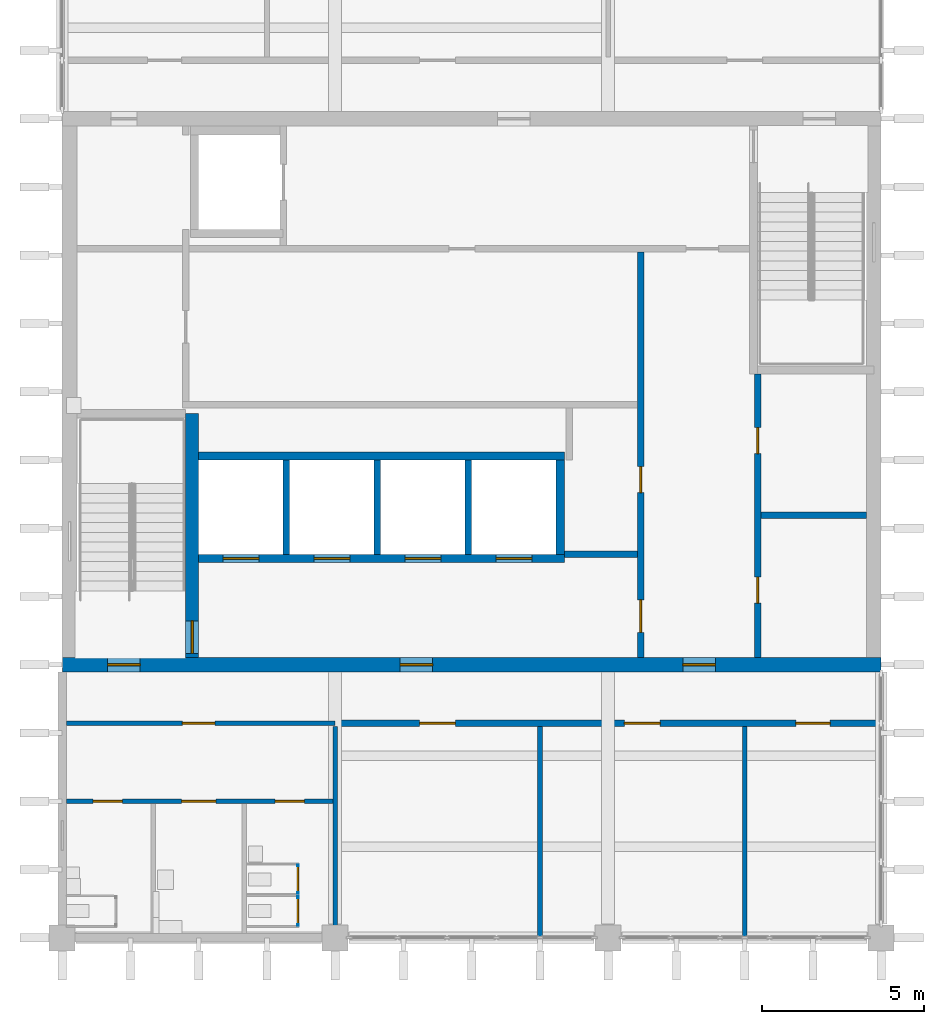
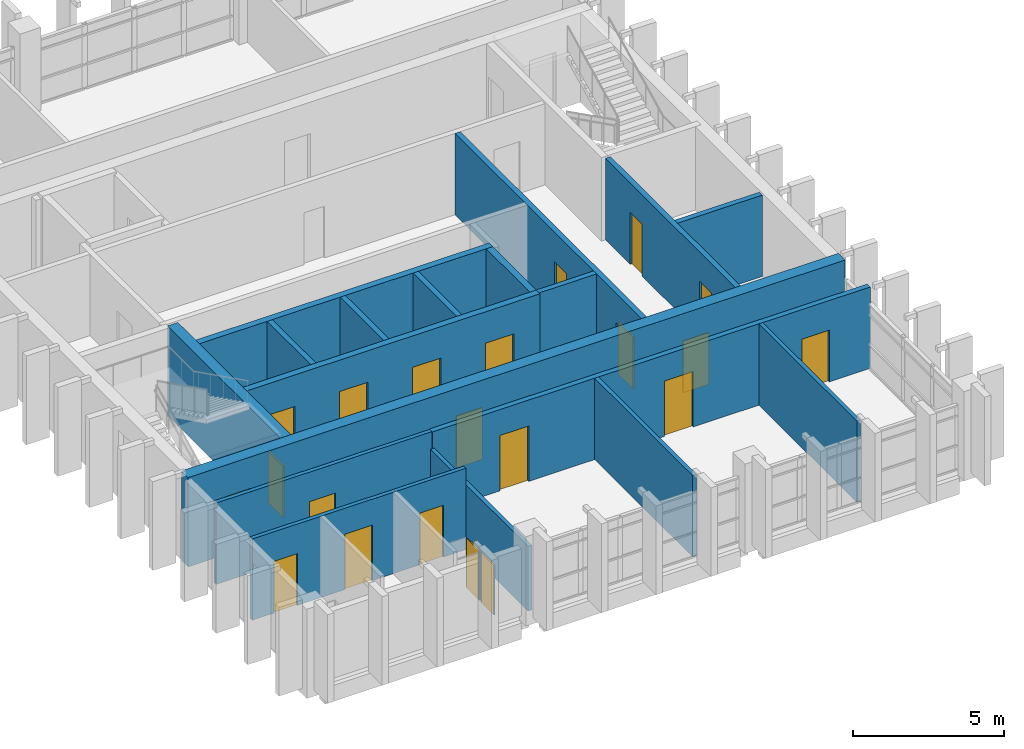
# One storey, part 7 of 11: 21 doors, 20 walls, 21 openings.
"""IFC4 building model written with IfcOpenShell, lengths in metres."""

from ifc_helpers import new_model, si_unit, direction, frame, frame_2d, origin, place, context, subcontext, project, spatial, rectangle, extrude, material, layer, layer_set, type_object, element, fill, save


model = new_model("IFC4")

# Units and contexts
model_context = context("Model", 3, precision=1e-05, world=origin(), true_north=direction((0.0, 1.0)))
body_context = subcontext(model_context, "Body", "Model", "MODEL_VIEW")
ifc_project = project(units=[si_unit("LENGTHUNIT", "METRE"), si_unit("AREAUNIT", "SQUARE_METRE"), si_unit("VOLUMEUNIT", "CUBIC_METRE"), si_unit("PLANEANGLEUNIT", "RADIAN"), si_unit("MASSUNIT", "GRAM", prefix="KILO")], contexts=[model_context])

# Site, building, storey
site_placement = place(None, origin())
site = spatial("IfcSite", under=ifc_project, at=site_placement, CompositionType="ELEMENT")
building_placement = place(site_placement, origin())
building = spatial("IfcBuilding", under=site, at=building_placement, Name="Rulbaag Community and Learning Centre", CompositionType="ELEMENT")
storey_placement = place(building_placement, frame((0.0, 0.0, 36.0)))
storey = spatial("IfcBuildingStorey", under=building, at=storey_placement, Name="L09", CompositionType="ELEMENT", Elevation=36.0)

# Wall, opening, door
ifc_material_1 = material(Name="High pressure laminate", Category="wood")
ifc_layer_1 = layer(ifc_material_1, 0.0400390625)
ifc_layer_set_1 = layer_set([ifc_layer_1], Name="CP-40")
wall_type_1 = type_object("IfcWallType", Name="CP-40", PredefinedType="PARTITIONING", material=ifc_layer_set_1)
wall_1_placement = place(storey_placement, frame((150.050048828125, 84.3701171875, 0.0), z_axis=(0.0, 0.0, 1.0), x_axis=(0.0, 1.0, 0.0)))
wall_1 = element("IfcWall", 1, at=wall_1_placement, inside=storey, type_object=wall_type_1, Name="Cubicle partition", PredefinedType="PARTITIONING", context=body_context, shape_type="SweptSolid", body=[
    extrude(rectangle(XDim=0.89990234375, YDim=0.0400390625, at=frame_2d((0.449951171875, 0.0))), origin(), (0.0, 0.0, 1.0), 2.0),
])
opening_1_placement = place(wall_1_placement, frame((0.050048828125, 0.0, 0.0)))
opening_1 = element("IfcOpeningElement", 2, at=opening_1_placement, cuts=wall_1, Name="Opening L09-D013", PredefinedType="OPENING", context=body_context, shape_type="SweptSolid", body=[
    extrude(rectangle(XDim=0.800048828125, YDim=2.0, at=frame_2d((0.39990234375, 1.0))), frame((0.0, 0.030029296875, 0.0), z_axis=(0.0, -1.0, 0.0), x_axis=(1.0, 0.0, 0.0)), (0.0, 0.0, 1.0), 0.06005859375),
])
door_type_1 = type_object("IfcDoorType", Name="DC-80", OperationType="SINGLE_SWING_LEFT", PredefinedType="DOOR", material=ifc_material_1)
door_1_placement = place(opening_1_placement, origin())
door_1 = element("IfcDoor", 3, at=door_1_placement, inside=storey, type_object=door_type_1, Name="Cubicle door", OperationType="SINGLE_SWING_LEFT", OverallHeight=2.0, OverallWidth=0.800048828125, PredefinedType="DOOR", context=body_context, shape_type="SweptSolid", body=[
    extrude(rectangle(XDim=0.800048828125, YDim=2.0, at=frame_2d((0.39990234375, 1.0))), frame((0.0, 0.019775390625, 0.0), z_axis=(0.0, -1.0, 0.0), x_axis=(1.0, 0.0, 0.0)), (0.0, 0.0, 1.0), 0.03955078125),
])
fill(opening_1, door_1)

wall_2_placement = place(storey_placement, frame((150.050048828125, 85.35009765625, 0.0), z_axis=(0.0, 0.0, 1.0), x_axis=(0.0, 1.0, 0.0)))
wall_2 = element("IfcWall", 4, at=wall_2_placement, inside=storey, type_object=wall_type_1, Name="Cubicle partition", PredefinedType="PARTITIONING", context=body_context, shape_type="SweptSolid", body=[
    extrude(rectangle(XDim=0.89990234375, YDim=0.0400390625, at=frame_2d((0.449951171875, 0.0))), origin(), (0.0, 0.0, 1.0), 2.0),
])
opening_2_placement = place(wall_2_placement, frame((0.050048828125, 0.0, 0.0)))
opening_2 = element("IfcOpeningElement", 5, at=opening_2_placement, cuts=wall_2, Name="Opening L09-D014", PredefinedType="OPENING", context=body_context, shape_type="SweptSolid", body=[
    extrude(rectangle(XDim=0.800048828125, YDim=2.0, at=frame_2d((0.39990234375, 1.0))), frame((0.0, 0.030029296875, 0.0), z_axis=(0.0, -1.0, 0.0), x_axis=(1.0, 0.0, 0.0)), (0.0, 0.0, 1.0), 0.06005859375),
])
door_2_placement = place(opening_2_placement, origin())
door_2 = element("IfcDoor", 6, at=door_2_placement, inside=storey, type_object=door_type_1, Name="Cubicle door", OperationType="SINGLE_SWING_LEFT", OverallHeight=2.0, OverallWidth=0.800048828125, PredefinedType="DOOR", context=body_context, shape_type="SweptSolid", body=[
    extrude(rectangle(XDim=0.800048828125, YDim=2.0, at=frame_2d((0.39990234375, 1.0))), frame((0.0, 0.019775390625, 0.0), z_axis=(0.0, -1.0, 0.0), x_axis=(1.0, 0.0, 0.0)), (0.0, 0.0, 1.0), 0.03955078125),
])
fill(opening_2, door_2)

# Wall, openings, doors
ifc_material_2 = material(Name="Concrete blockwork", Category="masonry")
ifc_layer_2 = layer(ifc_material_2, 0.199951171875)
ifc_layer_set_2 = layer_set([ifc_layer_2], Name="FW-200 FIRE WALL 200")
wall_type_2 = type_object("IfcWallType", Name="FW-200 FIRE WALL 200", PredefinedType="SOLIDWALL", material=ifc_layer_set_2)
wall_3_placement = place(storey_placement, frame((151.199951171875, 90.60009765625, 0.0), z_axis=(0.0, 0.0, 1.0), x_axis=(1.0, 0.0, 0.0)))
wall_3 = element("IfcWall", 7, at=wall_3_placement, inside=storey, type_object=wall_type_2, Name="Fire wall L09 3", PredefinedType="SOLIDWALL", context=body_context, shape_type="SweptSolid", body=[
    extrude(rectangle(XDim=16.800048828125, YDim=0.199951171875, at=frame_2d((8.39990234375, 0.0))), origin(), (0.0, 0.0, 1.0), 3.300048828125),
])
opening_3_placement = place(wall_3_placement, frame((2.60009765625, 0.0, 0.0)))
opening_3 = element("IfcOpeningElement", 8, at=opening_3_placement, cuts=wall_3, Name="Opening L09-D018", PredefinedType="OPENING", context=body_context, shape_type="SweptSolid", body=[
    extrude(rectangle(XDim=1.10009765625, YDim=2.25, at=frame_2d((0.550048828125, 1.125))), frame((0.0, 0.10986328125, 0.0), z_axis=(0.0, -1.0, 0.0), x_axis=(1.0, 0.0, 0.0)), (0.0, 0.0, 1.0), 0.219970703125),
])
opening_4_placement = place(wall_3_placement, frame((8.89990234375, 0.0, 0.0)))
opening_4 = element("IfcOpeningElement", 9, at=opening_4_placement, cuts=wall_3, Name="Opening L09-D025", PredefinedType="OPENING", context=body_context, shape_type="SweptSolid", body=[
    extrude(rectangle(XDim=1.10009765625, YDim=2.25, at=frame_2d((0.550048828125, 1.125))), frame((0.0, 0.10986328125, 0.0), z_axis=(0.0, -1.0, 0.0), x_axis=(1.0, 0.0, 0.0)), (0.0, 0.0, 1.0), 0.219970703125),
])
opening_5_placement = place(wall_3_placement, frame((14.175048828125, 0.0, 0.0)))
opening_5 = element("IfcOpeningElement", 10, at=opening_5_placement, cuts=wall_3, Name="Opening L09-D032", PredefinedType="OPENING", context=body_context, shape_type="SweptSolid", body=[
    extrude(rectangle(XDim=1.050048828125, YDim=2.10009765625, at=frame_2d((0.52490234375, 1.050048828125))), frame((0.0, 0.10986328125, 0.0), z_axis=(0.0, -1.0, 0.0), x_axis=(1.0, 0.0, 0.0)), (0.0, 0.0, 1.0), 0.219970703125),
])
ifc_material_3 = material(Name="Timber", Category="wood")
door_type_2 = type_object("IfcDoorType", Name="D-1100 OFFICE SUITE ENTRANCE DOOR 1100 x 2250", OperationType="SINGLE_SWING_LEFT", PredefinedType="DOOR", material=ifc_material_3)
door_3_placement = place(opening_3_placement, origin())
door_3 = element("IfcDoor", 11, at=door_3_placement, inside=storey, type_object=door_type_2, Name="Door L09-D018", OperationType="SINGLE_SWING_LEFT", OverallHeight=2.25, OverallWidth=1.10009765625, PredefinedType="DOOR", context=body_context, shape_type="SweptSolid", body=[
    extrude(rectangle(XDim=1.10009765625, YDim=2.25, at=frame_2d((0.550048828125, 1.125))), frame((0.0, 0.02490234375, 0.0), z_axis=(0.0, -1.0, 0.0), x_axis=(1.0, 0.0, 0.0)), (0.0, 0.0, 1.0), 0.050048828125),
])
fill(opening_3, door_3)
door_4_placement = place(opening_4_placement, origin())
door_4 = element("IfcDoor", 12, at=door_4_placement, inside=storey, type_object=door_type_2, Name="Door L09-D025", OperationType="SINGLE_SWING_RIGHT", OverallHeight=2.25, OverallWidth=1.10009765625, PredefinedType="DOOR", context=body_context, shape_type="SweptSolid", body=[
    extrude(rectangle(XDim=1.10009765625, YDim=2.25, at=frame_2d((0.550048828125, 1.125))), frame((0.0, 0.02490234375, 0.0), z_axis=(0.0, -1.0, 0.0), x_axis=(1.0, 0.0, 0.0)), (0.0, 0.0, 1.0), 0.050048828125),
])
fill(opening_4, door_4)
door_type_3 = type_object("IfcDoorType", Name="FD-1050 GLAZED MEETING ROOM FIRE DOOR 1050 x 2100", OperationType="SINGLE_SWING_LEFT", PredefinedType="DOOR", material=ifc_material_3)
door_5_placement = place(opening_5_placement, origin())
door_5 = element("IfcDoor", 13, at=door_5_placement, inside=storey, type_object=door_type_3, Name="Door L09-D032", OperationType="SINGLE_SWING_RIGHT", OverallHeight=2.10009765625, OverallWidth=1.050048828125, PredefinedType="DOOR", context=body_context, shape_type="SweptSolid", body=[
    extrude(rectangle(XDim=1.050048828125, YDim=2.10009765625, at=frame_2d((0.52490234375, 1.050048828125))), frame((0.0, 0.02490234375, 0.0), z_axis=(0.0, -1.0, 0.0), x_axis=(1.0, 0.0, 0.0)), (0.0, 0.0, 1.0), 0.050048828125),
])
fill(opening_5, door_5)

# Walls
wall_4_placement = place(storey_placement, frame((158.25, 95.800048828125, 0.0), z_axis=(0.0, 0.0, 1.0), x_axis=(1.0, 0.0, 0.0)))
element("IfcWall", 14, at=wall_4_placement, inside=storey, type_object=wall_type_2, Name="Fire wall L09 5", PredefinedType="SOLIDWALL", context=body_context, shape_type="SweptSolid", body=[
    extrude(rectangle(XDim=2.25, YDim=0.199951171875, at=frame_2d((1.125, 0.0))), origin(), (0.0, 0.0, 1.0), 3.300048828125),
])
wall_5_placement = place(storey_placement, frame((164.300048828125, 97.0, 0.0), z_axis=(0.0, 0.0, 1.0), x_axis=(1.0, 0.0, 0.0)))
element("IfcWall", 15, at=wall_5_placement, inside=storey, type_object=wall_type_2, Name="Fire wall L09 6", PredefinedType="SOLIDWALL", context=body_context, shape_type="SweptSolid", body=[
    extrude(rectangle(XDim=3.25, YDim=0.199951171875, at=frame_2d((1.625, 0.0))), origin(), (0.0, 0.0, 1.0), 3.300048828125),
])

# Wall, openings, doors
wall_6_placement = place(storey_placement, frame((160.60009765625, 92.625, 0.0), z_axis=(0.0, 0.0, 1.0), x_axis=(0.0, 1.0, 0.0)))
wall_6 = element("IfcWall", 16, at=wall_6_placement, inside=storey, type_object=wall_type_2, Name="Fire wall L09 21", PredefinedType="SOLIDWALL", context=body_context, shape_type="SweptSolid", body=[
    extrude(rectangle(XDim=12.47509765625, YDim=0.199951171875, at=frame_2d((6.237548828125, 0.0))), origin(), (0.0, 0.0, 1.0), 3.300048828125),
])
opening_6_placement = place(wall_6_placement, frame((5.074951171875, 0.0, 0.0)))
opening_6 = element("IfcOpeningElement", 17, at=opening_6_placement, cuts=wall_6, Name="Opening L09-D024", PredefinedType="OPENING", context=body_context, shape_type="SweptSolid", body=[
    extrude(rectangle(XDim=0.800048828125, YDim=2.10009765625, at=frame_2d((0.39990234375, 1.050048828125))), frame((0.0, 0.10986328125, 0.0), z_axis=(0.0, -1.0, 0.0), x_axis=(1.0, 0.0, 0.0)), (0.0, 0.0, 1.0), 0.219970703125),
])
opening_7_placement = place(wall_6_placement, frame((0.77490234375, 0.0, 0.0)))
opening_7 = element("IfcOpeningElement", 18, at=opening_7_placement, cuts=wall_6, Name="Opening L09-D023", PredefinedType="OPENING", context=body_context, shape_type="SweptSolid", body=[
    extrude(rectangle(XDim=1.0, YDim=2.10009765625, at=frame_2d((0.5, 1.050048828125))), frame((0.0, 0.10986328125, 0.0), z_axis=(0.0, -1.0, 0.0), x_axis=(1.0, 0.0, 0.0)), (0.0, 0.0, 1.0), 0.219970703125),
])
ifc_material_4 = material(Name="Galvanised steel", Category="steel")
door_type_4 = type_object("IfcDoorType", Name="FD-1000 FIRE DOOR 1000 x 2100", OperationType="SINGLE_SWING_LEFT", PredefinedType="DOOR", material=ifc_material_4)
door_6_placement = place(opening_7_placement, origin())
door_6 = element("IfcDoor", 19, at=door_6_placement, inside=storey, type_object=door_type_4, Name="Door L09-D023", OperationType="SINGLE_SWING_LEFT", OverallHeight=2.10009765625, OverallWidth=1.0, PredefinedType="DOOR", context=body_context, shape_type="SweptSolid", body=[
    extrude(rectangle(XDim=1.0, YDim=2.10009765625, at=frame_2d((0.5, 1.050048828125))), frame((0.0, 0.02490234375, 0.0), z_axis=(0.0, -1.0, 0.0), x_axis=(1.0, 0.0, 0.0)), (0.0, 0.0, 1.0), 0.050048828125),
])
fill(opening_7, door_6)
door_type_5 = type_object("IfcDoorType", Name="FDR-800 RISER FIRE DOOR 800 x 2100", OperationType="SINGLE_SWING_LEFT", PredefinedType="DOOR", material=ifc_material_4)
door_7_placement = place(opening_6_placement, origin())
door_7 = element("IfcDoor", 20, at=door_7_placement, inside=storey, type_object=door_type_5, Name="Riser door L09-D021", OperationType="SINGLE_SWING_RIGHT", OverallHeight=2.10009765625, OverallWidth=0.800048828125, PredefinedType="DOOR", context=body_context, shape_type="SweptSolid", body=[
    extrude(rectangle(XDim=0.800048828125, YDim=2.10009765625, at=frame_2d((0.39990234375, 1.050048828125))), frame((0.0, 0.02490234375, 0.0), z_axis=(0.0, -1.0, 0.0), x_axis=(1.0, 0.0, 0.0)), (0.0, 0.0, 1.0), 0.050048828125),
])
fill(opening_6, door_7)

wall_7_placement = place(storey_placement, frame((164.199951171875, 92.625, 0.0), z_axis=(0.0, 0.0, 1.0), x_axis=(0.0, 1.0, 0.0)))
wall_7 = element("IfcWall", 21, at=wall_7_placement, inside=storey, type_object=wall_type_2, Name="Fire wall L09 23", PredefinedType="SOLIDWALL", context=body_context, shape_type="SweptSolid", body=[
    extrude(rectangle(XDim=8.72509765625, YDim=0.199951171875, at=frame_2d((4.362548828125, 0.0))), origin(), (0.0, 0.0, 1.0), 3.300048828125),
])
opening_8_placement = place(wall_7_placement, frame((1.675048828125, 0.0, 0.0)))
opening_8 = element("IfcOpeningElement", 22, at=opening_8_placement, cuts=wall_7, Name="Opening L09-D030", PredefinedType="OPENING", context=body_context, shape_type="SweptSolid", body=[
    extrude(rectangle(XDim=0.800048828125, YDim=2.10009765625, at=frame_2d((0.39990234375, 1.050048828125))), frame((0.0, 0.10986328125, 0.0), z_axis=(0.0, -1.0, 0.0), x_axis=(1.0, 0.0, 0.0)), (0.0, 0.0, 1.0), 0.219970703125),
])
opening_9_placement = place(wall_7_placement, frame((6.27490234375, 0.0, 0.0)))
opening_9 = element("IfcOpeningElement", 23, at=opening_9_placement, cuts=wall_7, Name="Opening L09-D031", PredefinedType="OPENING", context=body_context, shape_type="SweptSolid", body=[
    extrude(rectangle(XDim=0.800048828125, YDim=2.10009765625, at=frame_2d((0.39990234375, 1.050048828125))), frame((0.0, 0.10986328125, 0.0), z_axis=(0.0, -1.0, 0.0), x_axis=(1.0, 0.0, 0.0)), (0.0, 0.0, 1.0), 0.219970703125),
])
door_8_placement = place(opening_8_placement, origin())
door_8 = element("IfcDoor", 24, at=door_8_placement, inside=storey, type_object=door_type_5, Name="Riser door L09-D019", OperationType="SINGLE_SWING_LEFT", OverallHeight=2.10009765625, OverallWidth=0.800048828125, PredefinedType="DOOR", context=body_context, shape_type="SweptSolid", body=[
    extrude(rectangle(XDim=0.800048828125, YDim=2.10009765625, at=frame_2d((0.39990234375, 1.050048828125))), frame((0.0, 0.02490234375, 0.0), z_axis=(0.0, -1.0, 0.0), x_axis=(1.0, 0.0, 0.0)), (0.0, 0.0, 1.0), 0.050048828125),
])
fill(opening_8, door_8)
door_9_placement = place(opening_9_placement, origin())
door_9 = element("IfcDoor", 25, at=door_9_placement, inside=storey, type_object=door_type_5, Name="Riser door L09-D020", OperationType="SINGLE_SWING_RIGHT", OverallHeight=2.10009765625, OverallWidth=0.800048828125, PredefinedType="DOOR", context=body_context, shape_type="SweptSolid", body=[
    extrude(rectangle(XDim=0.800048828125, YDim=2.10009765625, at=frame_2d((0.39990234375, 1.050048828125))), frame((0.0, 0.02490234375, 0.0), z_axis=(0.0, -1.0, 0.0), x_axis=(1.0, 0.0, 0.0)), (0.0, 0.0, 1.0), 0.050048828125),
])
fill(opening_9, door_9)

ifc_layer_3 = layer(ifc_material_2, 0.14990234375)
ifc_layer_set_3 = layer_set([ifc_layer_3], Name="IP-150 PARTITION 150")
wall_type_3 = type_object("IfcWallType", Name="IP-150 PARTITION 150", PredefinedType="PARTITIONING", material=ifc_layer_set_3)
wall_8_placement = place(storey_placement, frame((142.925048828125, 88.199951171875, 0.0), z_axis=(0.0, 0.0, 1.0), x_axis=(1.0, 0.0, 0.0)))
wall_8 = element("IfcWall", 26, at=wall_8_placement, inside=storey, type_object=wall_type_3, Name="Partition L09 1", PredefinedType="PARTITIONING", context=body_context, shape_type="SweptSolid", body=[
    extrude(rectangle(XDim=8.199951171875, YDim=0.14990234375, at=frame_2d((4.10009765625, 0.0))), origin(), (0.0, 0.0, 1.0), 3.300048828125),
])
opening_10_placement = place(wall_8_placement, frame((0.824951171875, 0.0, 0.0)))
opening_10 = element("IfcOpeningElement", 27, at=opening_10_placement, cuts=wall_8, Name="Opening L09-D001", PredefinedType="OPENING", context=body_context, shape_type="SweptSolid", body=[
    extrude(rectangle(XDim=0.89990234375, YDim=2.10009765625, at=frame_2d((0.449951171875, 1.050048828125))), frame((0.0, 0.0849609375, 0.0), z_axis=(0.0, -1.0, 0.0), x_axis=(1.0, 0.0, 0.0)), (0.0, 0.0, 1.0), 0.169921875),
])
opening_11_placement = place(wall_8_placement, frame((3.550048828125, 0.0, 0.0)))
opening_11 = element("IfcOpeningElement", 28, at=opening_11_placement, cuts=wall_8, Name="Opening L09-D008", PredefinedType="OPENING", context=body_context, shape_type="SweptSolid", body=[
    extrude(rectangle(XDim=1.050048828125, YDim=2.25, at=frame_2d((0.52490234375, 1.125))), frame((0.0, 0.0849609375, 0.0), z_axis=(0.0, -1.0, 0.0), x_axis=(1.0, 0.0, 0.0)), (0.0, 0.0, 1.0), 0.169921875),
])
opening_12_placement = place(wall_8_placement, frame((6.425048828125, 0.0, 0.0)))
opening_12 = element("IfcOpeningElement", 29, at=opening_12_placement, cuts=wall_8, Name="Opening L09-D012", PredefinedType="OPENING", context=body_context, shape_type="SweptSolid", body=[
    extrude(rectangle(XDim=0.89990234375, YDim=2.10009765625, at=frame_2d((0.449951171875, 1.050048828125))), frame((0.0, 0.0849609375, 0.0), z_axis=(0.0, -1.0, 0.0), x_axis=(1.0, 0.0, 0.0)), (0.0, 0.0, 1.0), 0.169921875),
])
door_type_6 = type_object("IfcDoorType", Name="D-1050 ACCESSIBLE TOILET DOOR 1050 x 2250", OperationType="SINGLE_SWING_LEFT", PredefinedType="DOOR", material=ifc_material_3)
door_10_placement = place(opening_11_placement, origin())
door_10 = element("IfcDoor", 30, at=door_10_placement, inside=storey, type_object=door_type_6, Name="Door L09-D008", OperationType="SINGLE_SWING_LEFT", OverallHeight=2.25, OverallWidth=1.050048828125, PredefinedType="DOOR", context=body_context, shape_type="SweptSolid", body=[
    extrude(rectangle(XDim=1.050048828125, YDim=2.25, at=frame_2d((0.52490234375, 1.125))), frame((0.0, 0.02490234375, 0.0), z_axis=(0.0, -1.0, 0.0), x_axis=(1.0, 0.0, 0.0)), (0.0, 0.0, 1.0), 0.050048828125),
])
fill(opening_11, door_10)
door_type_7 = type_object("IfcDoorType", Name="DW-900 TOILET DOOR 900 x 2100", OperationType="SINGLE_SWING_LEFT", PredefinedType="DOOR", material=ifc_material_3)
door_11_placement = place(opening_10_placement, origin())
door_11 = element("IfcDoor", 31, at=door_11_placement, inside=storey, type_object=door_type_7, Name="Door L09-D001", OperationType="SINGLE_SWING_LEFT", OverallHeight=2.10009765625, OverallWidth=0.89990234375, PredefinedType="DOOR", context=body_context, shape_type="SweptSolid", body=[
    extrude(rectangle(XDim=0.89990234375, YDim=2.10009765625, at=frame_2d((0.449951171875, 1.050048828125))), frame((0.0, 0.02490234375, 0.0), z_axis=(0.0, -1.0, 0.0), x_axis=(1.0, 0.0, 0.0)), (0.0, 0.0, 1.0), 0.050048828125),
])
fill(opening_10, door_11)
door_12_placement = place(opening_12_placement, origin())
door_12 = element("IfcDoor", 32, at=door_12_placement, inside=storey, type_object=door_type_7, Name="Door L09-D012", OperationType="SINGLE_SWING_RIGHT", OverallHeight=2.10009765625, OverallWidth=0.89990234375, PredefinedType="DOOR", context=body_context, shape_type="SweptSolid", body=[
    extrude(rectangle(XDim=0.89990234375, YDim=2.10009765625, at=frame_2d((0.449951171875, 1.050048828125))), frame((0.0, 0.02490234375, 0.0), z_axis=(0.0, -1.0, 0.0), x_axis=(1.0, 0.0, 0.0)), (0.0, 0.0, 1.0), 0.050048828125),
])
fill(opening_12, door_12)

# Wall, opening, door
wall_9_placement = place(storey_placement, frame((142.925048828125, 90.60009765625, 0.0), z_axis=(0.0, 0.0, 1.0), x_axis=(1.0, 0.0, 0.0)))
wall_9 = element("IfcWall", 33, at=wall_9_placement, inside=storey, type_object=wall_type_3, Name="Partition L09 2", PredefinedType="PARTITIONING", context=body_context, shape_type="SweptSolid", body=[
    extrude(rectangle(XDim=8.27490234375, YDim=0.14990234375, at=frame_2d((4.137451171875, 0.0))), origin(), (0.0, 0.0, 1.0), 3.300048828125),
])
opening_13_placement = place(wall_9_placement, frame((3.574951171875, 0.0, 0.0)))
opening_13 = element("IfcOpeningElement", 34, at=opening_13_placement, cuts=wall_9, Name="Opening L09-D009", PredefinedType="OPENING", context=body_context, shape_type="SweptSolid", body=[
    extrude(rectangle(XDim=1.0, YDim=2.10009765625, at=frame_2d((0.5, 1.050048828125))), frame((0.0, 0.0849609375, 0.0), z_axis=(0.0, -1.0, 0.0), x_axis=(1.0, 0.0, 0.0)), (0.0, 0.0, 1.0), 0.169921875),
])
door_type_8 = type_object("IfcDoorType", Name="D-1000 DOOR 1000 x 2100", OperationType="SINGLE_SWING_LEFT", PredefinedType="DOOR", material=ifc_material_3)
door_13_placement = place(opening_13_placement, origin())
door_13 = element("IfcDoor", 35, at=door_13_placement, inside=storey, type_object=door_type_8, Name="Door L09-D009", OperationType="SINGLE_SWING_RIGHT", OverallHeight=2.10009765625, OverallWidth=1.0, PredefinedType="DOOR", context=body_context, shape_type="SweptSolid", body=[
    extrude(rectangle(XDim=1.0, YDim=2.10009765625, at=frame_2d((0.5, 1.050048828125))), frame((0.0, 0.02490234375, 0.0), z_axis=(0.0, -1.0, 0.0), x_axis=(1.0, 0.0, 0.0)), (0.0, 0.0, 1.0), 0.050048828125),
])
fill(opening_13, door_13)

# Walls
wall_10_placement = place(storey_placement, frame((151.199951171875, 84.0, 0.0), z_axis=(0.0, 0.0, 1.0), x_axis=(0.0, 1.0, 0.0)))
element("IfcWall", 36, at=wall_10_placement, inside=storey, type_object=wall_type_3, Name="Partition L09 17", PredefinedType="PARTITIONING", context=body_context, shape_type="SweptSolid", body=[
    extrude(rectangle(XDim=6.5, YDim=0.14990234375, at=frame_2d((3.25, 0.0))), origin(), (0.0, 0.0, 1.0), 2.625),
])
for number, where, z_axis, x_axis, name in (
    (37, (157.5, 84.0, 0.0), (0.0, 0.0, 1.0), (0.0, 1.0, 0.0), "Partition L09 18"),
    (38, (163.800048828125, 84.0, 0.0), (0.0, 0.0, 1.0), (0.0, 1.0, 0.0), "Partition L09 22"),
):
    element("IfcWall", number, at=place(storey_placement, frame(where, z_axis=z_axis, x_axis=x_axis)), inside=storey, type_object=wall_type_3, Name=name, PredefinedType="PARTITIONING", context=body_context, shape_type="SweptSolid", body=[
        extrude(rectangle(XDim=6.5, YDim=0.14990234375, at=frame_2d((3.25, 0.0))), origin(), (0.0, 0.0, 1.0), 3.300048828125),
    ])

# Wall, openings, doors
ifc_material_5 = material(Name="Concrete M60", Category="concrete")
ifc_layer_4 = layer(ifc_material_5, 0.449951171875)
ifc_layer_set_4 = layer_set([ifc_layer_4], Name="W1 Core wall 450 Concrete M60")
wall_type_4 = type_object("IfcWallType", Name="W1 Core wall 450 Concrete M60", PredefinedType="SHEAR", material=ifc_layer_set_4)
wall_11_placement = place(storey_placement, frame((142.800048828125, 92.39990234375, -0.25), z_axis=(0.0, 0.0, 1.0), x_axis=(1.0, 0.0, 0.0)))
wall_11 = element("IfcWall", 39, at=wall_11_placement, inside=storey, type_object=wall_type_4, Name="WL-CORE-S-L09", PredefinedType="SHEAR", context=body_context, shape_type="SweptSolid", body=[
    extrude(rectangle(XDim=25.199951171875, YDim=0.449951171875, at=frame_2d((12.60009765625, 0.0))), origin(), (0.0, 0.0, 1.0), 3.625),
])
opening_14_placement = place(wall_11_placement, frame((1.39990234375, 0.0, 0.25)))
opening_14 = element("IfcOpeningElement", 40, at=opening_14_placement, cuts=wall_11, Name="Opening L09-D003", PredefinedType="OPENING", context=body_context, shape_type="SweptSolid", body=[
    extrude(rectangle(XDim=1.0, YDim=2.10009765625, at=frame_2d((0.5, 1.050048828125))), frame((0.0, 0.23486328125, 0.0), z_axis=(0.0, -1.0, 0.0), x_axis=(1.0, 0.0, 0.0)), (0.0, 0.0, 1.0), 0.469970703125),
])
opening_15_placement = place(wall_11_placement, frame((19.10009765625, 0.0, 0.25)))
opening_15 = element("IfcOpeningElement", 41, at=opening_15_placement, cuts=wall_11, Name="Opening L09-D026", PredefinedType="OPENING", context=body_context, shape_type="SweptSolid", body=[
    extrude(rectangle(XDim=1.0, YDim=2.10009765625, at=frame_2d((0.5, 1.050048828125))), frame((0.0, 0.23486328125, 0.0), z_axis=(0.0, -1.0, 0.0), x_axis=(1.0, 0.0, 0.0)), (0.0, 0.0, 1.0), 0.469970703125),
])
opening_16_placement = place(wall_11_placement, frame((10.39990234375, 0.0, 0.25)))
opening_16 = element("IfcOpeningElement", 42, at=opening_16_placement, cuts=wall_11, Name="Opening L09-D016", PredefinedType="OPENING", context=body_context, shape_type="SweptSolid", body=[
    extrude(rectangle(XDim=1.0, YDim=2.10009765625, at=frame_2d((0.5, 1.050048828125))), frame((0.0, 0.23486328125, 0.0), z_axis=(0.0, -1.0, 0.0), x_axis=(1.0, 0.0, 0.0)), (0.0, 0.0, 1.0), 0.469970703125),
])
door_14_placement = place(opening_15_placement, origin())
door_14 = element("IfcDoor", 43, at=door_14_placement, inside=storey, type_object=door_type_8, Name="Door L09-D026", OperationType="SINGLE_SWING_LEFT", OverallHeight=2.10009765625, OverallWidth=1.0, PredefinedType="DOOR", context=body_context, shape_type="SweptSolid", body=[
    extrude(rectangle(XDim=1.0, YDim=2.10009765625, at=frame_2d((0.5, 1.050048828125))), frame((0.0, 0.02490234375, 0.0), z_axis=(0.0, -1.0, 0.0), x_axis=(1.0, 0.0, 0.0)), (0.0, 0.0, 1.0), 0.050048828125),
])
fill(opening_15, door_14)
door_15_placement = place(opening_14_placement, origin())
door_15 = element("IfcDoor", 44, at=door_15_placement, inside=storey, type_object=door_type_4, Name="Door L09-D003", OperationType="SINGLE_SWING_RIGHT", OverallHeight=2.10009765625, OverallWidth=1.0, PredefinedType="DOOR", context=body_context, shape_type="SweptSolid", body=[
    extrude(rectangle(XDim=1.0, YDim=2.10009765625, at=frame_2d((0.5, 1.050048828125))), frame((0.0, 0.02490234375, 0.0), z_axis=(0.0, -1.0, 0.0), x_axis=(1.0, 0.0, 0.0)), (0.0, 0.0, 1.0), 0.050048828125),
])
fill(opening_14, door_15)
door_16_placement = place(opening_16_placement, origin())
door_16 = element("IfcDoor", 45, at=door_16_placement, inside=storey, type_object=door_type_4, Name="Door L09-D016", OperationType="SINGLE_SWING_RIGHT", OverallHeight=2.10009765625, OverallWidth=1.0, PredefinedType="DOOR", context=body_context, shape_type="SweptSolid", body=[
    extrude(rectangle(XDim=1.0, YDim=2.10009765625, at=frame_2d((0.5, 1.050048828125))), frame((0.0, 0.02490234375, 0.0), z_axis=(0.0, -1.0, 0.0), x_axis=(1.0, 0.0, 0.0)), (0.0, 0.0, 1.0), 0.050048828125),
])
fill(opening_16, door_16)

ifc_material_6 = material(Name="Concrete M40", Category="concrete")
ifc_layer_5 = layer(ifc_material_6, 0.25)
ifc_layer_set_5 = layer_set([ifc_layer_5], Name="W5 Shaft wall 250 Concrete M40")
wall_type_5 = type_object("IfcWallType", Name="W5 Shaft wall 250 Concrete M40", PredefinedType="SHEAR", material=ifc_layer_set_5)
wall_12_placement = place(storey_placement, frame((147.0, 95.675048828125, -0.25), z_axis=(0.0, 0.0, 1.0), x_axis=(1.0, 0.0, 0.0)))
wall_12 = element("IfcWall", 46, at=wall_12_placement, inside=storey, type_object=wall_type_5, Name="WL-LP-S-L09", PredefinedType="SHEAR", context=body_context, shape_type="SweptSolid", body=[
    extrude(rectangle(XDim=11.25, YDim=0.25, at=frame_2d((5.625, 0.0))), origin(), (0.0, 0.0, 1.0), 3.625),
])
opening_17_placement = place(wall_12_placement, frame((0.75, 0.0, 0.25)))
opening_17 = element("IfcOpeningElement", 47, at=opening_17_placement, cuts=wall_12, Name="Opening L09-D010", PredefinedType="OPENING", context=body_context, shape_type="SweptSolid", body=[
    extrude(rectangle(XDim=1.10009765625, YDim=2.10009765625, at=frame_2d((0.550048828125, 1.050048828125))), frame((0.0, 0.135009765625, 0.0), z_axis=(0.0, -1.0, 0.0), x_axis=(1.0, 0.0, 0.0)), (0.0, 0.0, 1.0), 0.27001953125),
])
opening_18_placement = place(wall_12_placement, frame((3.550048828125, 0.0, 0.25)))
opening_18 = element("IfcOpeningElement", 48, at=opening_18_placement, cuts=wall_12, Name="Opening L09-D015", PredefinedType="OPENING", context=body_context, shape_type="SweptSolid", body=[
    extrude(rectangle(XDim=1.10009765625, YDim=2.10009765625, at=frame_2d((0.550048828125, 1.050048828125))), frame((0.0, 0.135009765625, 0.0), z_axis=(0.0, -1.0, 0.0), x_axis=(1.0, 0.0, 0.0)), (0.0, 0.0, 1.0), 0.27001953125),
])
opening_19_placement = place(wall_12_placement, frame((6.35009765625, 0.0, 0.25)))
opening_19 = element("IfcOpeningElement", 49, at=opening_19_placement, cuts=wall_12, Name="Opening L09-D017", PredefinedType="OPENING", context=body_context, shape_type="SweptSolid", body=[
    extrude(rectangle(XDim=1.10009765625, YDim=2.10009765625, at=frame_2d((0.550048828125, 1.050048828125))), frame((0.0, 0.135009765625, 0.0), z_axis=(0.0, -1.0, 0.0), x_axis=(1.0, 0.0, 0.0)), (0.0, 0.0, 1.0), 0.27001953125),
])
opening_20_placement = place(wall_12_placement, frame((9.14990234375, 0.0, 0.25)))
opening_20 = element("IfcOpeningElement", 50, at=opening_20_placement, cuts=wall_12, Name="Opening L09-D021", PredefinedType="OPENING", context=body_context, shape_type="SweptSolid", body=[
    extrude(rectangle(XDim=1.10009765625, YDim=2.10009765625, at=frame_2d((0.550048828125, 1.050048828125))), frame((0.0, 0.135009765625, 0.0), z_axis=(0.0, -1.0, 0.0), x_axis=(1.0, 0.0, 0.0)), (0.0, 0.0, 1.0), 0.27001953125),
])
ifc_material_7 = material(Name="Stainless steel grade 304", Category="steel")
door_type_9 = type_object("IfcDoorType", Name="LD-1100 LIFT LANDING DOOR 1100 x 2100", OperationType="SLIDING_TO_LEFT", PredefinedType="DOOR", material=ifc_material_7)
door_17_placement = place(opening_17_placement, origin())
door_17 = element("IfcDoor", 51, at=door_17_placement, inside=storey, type_object=door_type_9, Name="Lift landing door LP1 L09", OperationType="SLIDING_TO_LEFT", OverallHeight=2.10009765625, OverallWidth=1.10009765625, PredefinedType="DOOR", context=body_context, shape_type="SweptSolid", body=[
    extrude(rectangle(XDim=1.10009765625, YDim=2.10009765625, at=frame_2d((0.550048828125, 1.050048828125))), frame((0.0, 0.02490234375, 0.0), z_axis=(0.0, -1.0, 0.0), x_axis=(1.0, 0.0, 0.0)), (0.0, 0.0, 1.0), 0.050048828125),
])
fill(opening_17, door_17)
door_18_placement = place(opening_18_placement, origin())
door_18 = element("IfcDoor", 52, at=door_18_placement, inside=storey, type_object=door_type_9, Name="Lift landing door LP2 L09", OperationType="SLIDING_TO_LEFT", OverallHeight=2.10009765625, OverallWidth=1.10009765625, PredefinedType="DOOR", context=body_context, shape_type="SweptSolid", body=[
    extrude(rectangle(XDim=1.10009765625, YDim=2.10009765625, at=frame_2d((0.550048828125, 1.050048828125))), frame((0.0, 0.02490234375, 0.0), z_axis=(0.0, -1.0, 0.0), x_axis=(1.0, 0.0, 0.0)), (0.0, 0.0, 1.0), 0.050048828125),
])
fill(opening_18, door_18)
door_19_placement = place(opening_19_placement, origin())
door_19 = element("IfcDoor", 53, at=door_19_placement, inside=storey, type_object=door_type_9, Name="Lift landing door LP3 L09", OperationType="SLIDING_TO_LEFT", OverallHeight=2.10009765625, OverallWidth=1.10009765625, PredefinedType="DOOR", context=body_context, shape_type="SweptSolid", body=[
    extrude(rectangle(XDim=1.10009765625, YDim=2.10009765625, at=frame_2d((0.550048828125, 1.050048828125))), frame((0.0, 0.02490234375, 0.0), z_axis=(0.0, -1.0, 0.0), x_axis=(1.0, 0.0, 0.0)), (0.0, 0.0, 1.0), 0.050048828125),
])
fill(opening_19, door_19)
door_20_placement = place(opening_20_placement, origin())
door_20 = element("IfcDoor", 54, at=door_20_placement, inside=storey, type_object=door_type_9, Name="Lift landing door LP4 L09", OperationType="SLIDING_TO_LEFT", OverallHeight=2.10009765625, OverallWidth=1.10009765625, PredefinedType="DOOR", context=body_context, shape_type="SweptSolid", body=[
    extrude(rectangle(XDim=1.10009765625, YDim=2.10009765625, at=frame_2d((0.550048828125, 1.050048828125))), frame((0.0, 0.02490234375, 0.0), z_axis=(0.0, -1.0, 0.0), x_axis=(1.0, 0.0, 0.0)), (0.0, 0.0, 1.0), 0.050048828125),
])
fill(opening_20, door_20)

# Walls
wall_13_placement = place(storey_placement, frame((147.0, 98.824951171875, -0.25), z_axis=(0.0, 0.0, 1.0), x_axis=(1.0, 0.0, 0.0)))
element("IfcWall", 55, at=wall_13_placement, inside=storey, type_object=wall_type_5, Name="WL-LP-N-L09", PredefinedType="SHEAR", context=body_context, shape_type="SweptSolid", body=[
    extrude(rectangle(XDim=11.25, YDim=0.25, at=frame_2d((5.625, 0.0))), origin(), (0.0, 0.0, 1.0), 3.625),
])
wall_14_placement = place(storey_placement, frame((158.125, 95.800048828125, -0.25), z_axis=(0.0, 0.0, 1.0), x_axis=(0.0, 1.0, 0.0)))
element("IfcWall", 56, at=wall_14_placement, inside=storey, type_object=wall_type_5, Name="WL-LP-E-L09", PredefinedType="SHEAR", context=body_context, shape_type="SweptSolid", body=[
    extrude(rectangle(XDim=2.89990234375, YDim=0.25, at=frame_2d((1.449951171875, 0.0))), origin(), (0.0, 0.0, 1.0), 3.625),
])
ifc_layer_6 = layer(ifc_material_6, 0.199951171875)
ifc_layer_set_6 = layer_set([ifc_layer_6], Name="W6 Shaft divider 200 Concrete M40")
wall_type_6 = type_object("IfcWallType", Name="W6 Shaft divider 200 Concrete M40", PredefinedType="SHEAR", material=ifc_layer_set_6)
for number, where, z_axis, x_axis, name in (
    (57, (149.699951171875, 95.800048828125, -0.25), (0.0, 0.0, 1.0), (0.0, 1.0, 0.0), "WL-LP-D1-L09"),
    (58, (152.5, 95.800048828125, -0.25), (0.0, 0.0, 1.0), (0.0, 1.0, 0.0), "WL-LP-D2-L09"),
    (59, (155.300048828125, 95.800048828125, -0.25), (0.0, 0.0, 1.0), (0.0, 1.0, 0.0), "WL-LP-D3-L09"),
):
    element("IfcWall", number, at=place(storey_placement, frame(where, z_axis=z_axis, x_axis=x_axis)), inside=storey, type_object=wall_type_6, Name=name, PredefinedType="SHEAR", context=body_context, shape_type="SweptSolid", body=[
        extrude(rectangle(XDim=2.89990234375, YDim=0.199951171875, at=frame_2d((1.449951171875, 0.0))), origin(), (0.0, 0.0, 1.0), 3.625),
    ])

# Wall, opening, door
ifc_layer_7 = layer(ifc_material_6, 0.39990234375)
ifc_layer_set_7 = layer_set([ifc_layer_7], Name="W7 Stair wall 400 Concrete M40")
wall_type_7 = type_object("IfcWallType", Name="W7 Stair wall 400 Concrete M40", PredefinedType="SHEAR", material=ifc_layer_set_7)
wall_15_placement = place(storey_placement, frame((146.800048828125, 92.625, -0.25), z_axis=(0.0, 0.0, 1.0), x_axis=(0.0, 1.0, 0.0)))
wall_15 = element("IfcWall", 60, at=wall_15_placement, inside=storey, type_object=wall_type_7, Name="WL-ST1-E-L09", PredefinedType="SHEAR", context=body_context, shape_type="SweptSolid", body=[
    extrude(rectangle(XDim=7.5, YDim=0.39990234375, at=frame_2d((3.75, 0.0))), origin(), (0.0, 0.0, 1.0), 3.625),
])
opening_21_placement = place(wall_15_placement, frame((0.125, 0.0, 0.25)))
opening_21 = element("IfcOpeningElement", 61, at=opening_21_placement, cuts=wall_15, Name="Opening L09-D007", PredefinedType="OPENING", context=body_context, shape_type="SweptSolid", body=[
    extrude(rectangle(XDim=1.0, YDim=2.10009765625, at=frame_2d((0.5, 1.050048828125))), frame((0.0, 0.2099609375, 0.0), z_axis=(0.0, -1.0, 0.0), x_axis=(1.0, 0.0, 0.0)), (0.0, 0.0, 1.0), 0.419921875),
])
door_21_placement = place(opening_21_placement, origin())
door_21 = element("IfcDoor", 62, at=door_21_placement, inside=storey, type_object=door_type_4, Name="Door L09-D007", OperationType="SINGLE_SWING_RIGHT", OverallHeight=2.10009765625, OverallWidth=1.0, PredefinedType="DOOR", context=body_context, shape_type="SweptSolid", body=[
    extrude(rectangle(XDim=1.0, YDim=2.10009765625, at=frame_2d((0.5, 1.050048828125))), frame((0.0, 0.02490234375, 0.0), z_axis=(0.0, -1.0, 0.0), x_axis=(1.0, 0.0, 0.0)), (0.0, 0.0, 1.0), 0.050048828125),
])
fill(opening_21, door_21)

save(model, "model.ifc")
